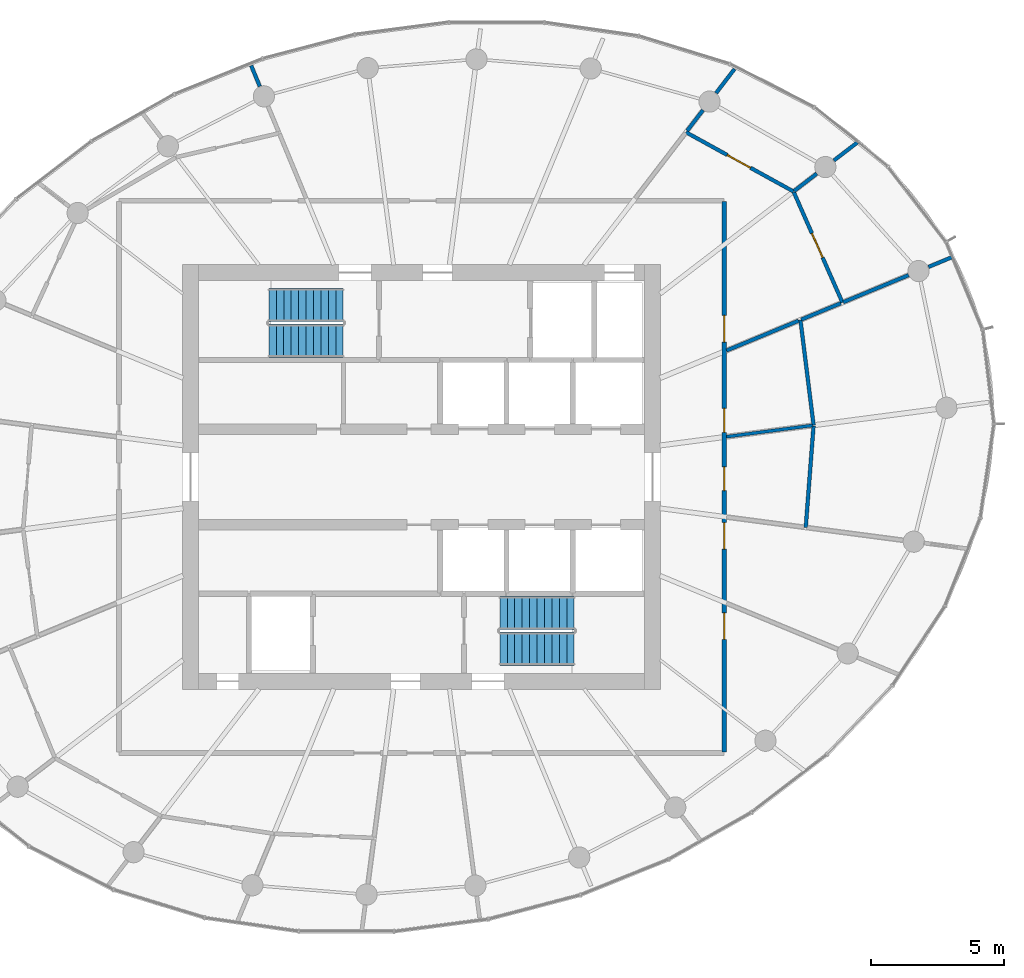
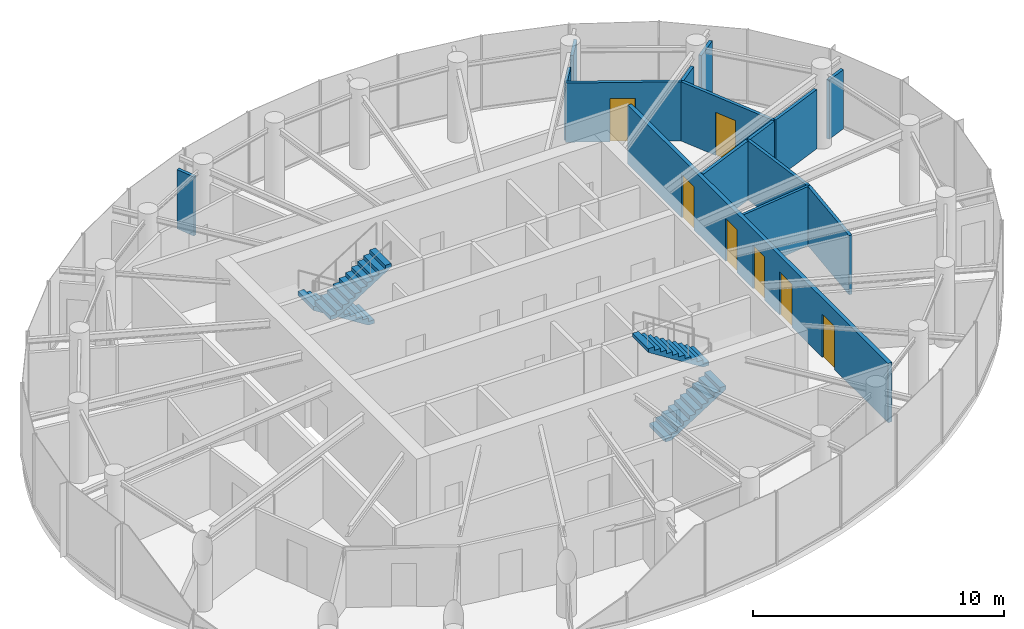
# One storey, part 11 of 13: 15 walls, 7 doors, 4 stair flights, 7 openings, 2 elements without a shape of their own.
"""IFC4 building model written with IfcOpenShell, lengths in metres."""

from ifc_helpers import new_model, si_unit, direction, frame, frame_2d, origin, place, context, subcontext, project, spatial, line, indexed_curve, rectangle, outline, extrude, source, transform, mapped, material, layer, layer_set, type_object, element, fill, aggregate, save


model = new_model("IFC4")

# Units and contexts
model_context = context("Model", 3, precision=1e-05, world=origin(), true_north=direction((0.0, 1.0)))
body_context = subcontext(model_context, "Body", "Model", "MODEL_VIEW")
ifc_project = project(units=[si_unit("LENGTHUNIT", "METRE"), si_unit("AREAUNIT", "SQUARE_METRE"), si_unit("VOLUMEUNIT", "CUBIC_METRE"), si_unit("PLANEANGLEUNIT", "RADIAN"), si_unit("MASSUNIT", "GRAM", prefix="KILO")], contexts=[model_context])

# Site, building, storey
site_placement = place(None, origin())
site = spatial("IfcSite", under=ifc_project, at=site_placement, CompositionType="ELEMENT")
building_placement = place(site_placement, origin())
building = spatial("IfcBuilding", under=site, at=building_placement, Name="Spindrift Exchange Tower", CompositionType="ELEMENT")
storey_placement = place(building_placement, frame((0.0, 0.0, 257.89990234375)))
storey = spatial("IfcBuildingStorey", under=building, at=storey_placement, Name="L63", CompositionType="ELEMENT", Elevation=257.89990234375)

# Wall, openings, doors
ifc_material_1 = material(Name="Fire-rated plasterboard partition", Category="gypsum")
ifc_layer_1 = layer(ifc_material_1, 0.179931640625)
ifc_layer_set_1 = layer_set([ifc_layer_1], Name="W-CORR-180")
wall_type_1 = type_object("IfcWallType", Name="W-CORR-180", PredefinedType="PARTITIONING", material=ifc_layer_set_1)
wall_1_placement = place(storey_placement, frame((63.39990234375, 58.3701171875, 0.0), z_axis=(0.0, 0.0, 1.0), x_axis=(0.0, -1.0, 0.0)))
wall_1 = element("IfcWall", 1, at=wall_1_placement, inside=storey, type_object=wall_type_1, Name="L63 Partition wall 29", PredefinedType="PARTITIONING", context=body_context, shape_type="SweptSolid", body=[
    extrude(rectangle(XDim=20.740234375, YDim=0.179931640625, at=frame_2d((10.3701171875, 0.0))), origin(), (0.0, 0.0, 1.0), 2.880126953125),
])
opening_1_placement = place(wall_1_placement, frame((9.989990234375, 0.0, 0.0)))
opening_1 = element("IfcOpeningElement", 2, at=opening_1_placement, cuts=wall_1, Name="Opening L63-D19", PredefinedType="OPENING", context=body_context, shape_type="SweptSolid", body=[
    extrude(rectangle(XDim=0.89990234375, YDim=2.10009765625, at=frame_2d((0.449951171875, 1.050048828125))), frame((0.0, 0.099853515625, 0.0), z_axis=(0.0, -1.0, 0.0), x_axis=(1.0, 0.0, 0.0)), (0.0, 0.0, 1.0), 0.199951171875),
])
opening_2_placement = place(wall_1_placement, frame((7.7900390625, 0.0, 0.0)))
opening_2 = element("IfcOpeningElement", 3, at=opening_2_placement, cuts=wall_1, Name="Opening L63-D20", PredefinedType="OPENING", context=body_context, shape_type="SweptSolid", body=[
    extrude(rectangle(XDim=0.89990234375, YDim=2.10009765625, at=frame_2d((0.449951171875, 1.050048828125))), frame((0.0, 0.099853515625, 0.0), z_axis=(0.0, -1.0, 0.0), x_axis=(1.0, 0.0, 0.0)), (0.0, 0.0, 1.0), 0.199951171875),
])
opening_3_placement = place(wall_1_placement, frame((4.2900390625, 0.0, 0.0)))
opening_3 = element("IfcOpeningElement", 4, at=opening_3_placement, cuts=wall_1, Name="Opening L63-D21", PredefinedType="OPENING", context=body_context, shape_type="SweptSolid", body=[
    extrude(rectangle(XDim=1.0, YDim=2.10009765625, at=frame_2d((0.5, 1.050048828125))), frame((0.0, 0.099853515625, 0.0), z_axis=(0.0, -1.0, 0.0), x_axis=(1.0, 0.0, 0.0)), (0.0, 0.0, 1.0), 0.199951171875),
])
opening_4_placement = place(wall_1_placement, frame((15.489990234375, 0.0, 0.0)))
opening_4 = element("IfcOpeningElement", 5, at=opening_4_placement, cuts=wall_1, Name="Opening L63-D41", PredefinedType="OPENING", context=body_context, shape_type="SweptSolid", body=[
    extrude(rectangle(XDim=1.0, YDim=2.10009765625, at=frame_2d((0.5, 1.050048828125))), frame((0.0, 0.099853515625, 0.0), z_axis=(0.0, -1.0, 0.0), x_axis=(1.0, 0.0, 0.0)), (0.0, 0.0, 1.0), 0.199951171875),
])
opening_5_placement = place(wall_1_placement, frame((12.090087890625, 0.0, 0.0)))
opening_5 = element("IfcOpeningElement", 6, at=opening_5_placement, cuts=wall_1, Name="Opening L63-D42", PredefinedType="OPENING", context=body_context, shape_type="SweptSolid", body=[
    extrude(rectangle(XDim=1.0, YDim=2.10009765625, at=frame_2d((0.5, 1.050048828125))), frame((0.0, 0.099853515625, 0.0), z_axis=(0.0, -1.0, 0.0), x_axis=(1.0, 0.0, 0.0)), (0.0, 0.0, 1.0), 0.199951171875),
])
ifc_material_2 = material(Name="Timber-core fire door", Category="wood")
door_type_1 = type_object("IfcDoorType", Name="DR-ROOM-1000", OperationType="NOTDEFINED", PredefinedType="DOOR", material=ifc_material_2)
shared_shape_1 = source(origin(), body_context, "Body", "SweptSolid", [
    extrude(rectangle(XDim=1.0, YDim=2.10009765625, at=frame_2d((0.5, 1.050048828125))), frame((0.0, 0.02490234375, 0.0), z_axis=(0.0, -1.0, 0.0), x_axis=(1.0, 0.0, 0.0)), (0.0, 0.0, 1.0), 0.050048828125),
])
door_1_placement = place(opening_3_placement, origin())
door_1 = element("IfcDoor", 7, at=door_1_placement, inside=storey, type_object=door_type_1, Name="L63 Door 21", OperationType="SINGLE_SWING_RIGHT", OverallHeight=2.10009765625, OverallWidth=1.0, PredefinedType="DOOR", context=body_context, shape_type="MappedRepresentation", body=[
    mapped(shared_shape_1, transform((0.0, 0.0, 0.0), scale=1.0)),
])
fill(opening_3, door_1)
door_2_placement = place(opening_4_placement, origin())
door_2 = element("IfcDoor", 8, at=door_2_placement, inside=storey, type_object=door_type_1, Name="L63 Door 41", OperationType="SINGLE_SWING_RIGHT", OverallHeight=2.10009765625, OverallWidth=1.0, PredefinedType="DOOR", context=body_context, shape_type="MappedRepresentation", body=[
    mapped(shared_shape_1, transform((0.0, 0.0, 0.0), scale=1.0)),
])
fill(opening_4, door_2)
door_3_placement = place(opening_5_placement, origin())
door_3 = element("IfcDoor", 9, at=door_3_placement, inside=storey, type_object=door_type_1, Name="L63 Door 42", OperationType="SINGLE_SWING_LEFT", OverallHeight=2.10009765625, OverallWidth=1.0, PredefinedType="DOOR", context=body_context, shape_type="MappedRepresentation", body=[
    mapped(shared_shape_1, transform((0.0, 0.0, 0.0), scale=1.0)),
])
fill(opening_5, door_3)
ifc_material_3 = material(Name="Laminate washroom door", Category="wood")
door_type_2 = type_object("IfcDoorType", Name="DR-WC-900", OperationType="NOTDEFINED", PredefinedType="DOOR", material=ifc_material_3)
shared_shape_2 = source(origin(), body_context, "Body", "SweptSolid", [
    extrude(rectangle(XDim=0.89990234375, YDim=2.10009765625, at=frame_2d((0.449951171875, 1.050048828125))), frame((0.0, 0.02490234375, 0.0), z_axis=(0.0, -1.0, 0.0), x_axis=(1.0, 0.0, 0.0)), (0.0, 0.0, 1.0), 0.050048828125),
])
door_4_placement = place(opening_1_placement, origin())
door_4 = element("IfcDoor", 10, at=door_4_placement, inside=storey, type_object=door_type_2, Name="L63 WC door 19", OperationType="SINGLE_SWING_RIGHT", OverallHeight=2.10009765625, OverallWidth=0.89990234375, PredefinedType="DOOR", context=body_context, shape_type="MappedRepresentation", body=[
    mapped(shared_shape_2, transform((0.0, 0.0, 0.0), scale=1.0)),
])
fill(opening_1, door_4)
door_5_placement = place(opening_2_placement, origin())
door_5 = element("IfcDoor", 11, at=door_5_placement, inside=storey, type_object=door_type_2, Name="L63 WC door 20", OperationType="SINGLE_SWING_LEFT", OverallHeight=2.10009765625, OverallWidth=0.89990234375, PredefinedType="DOOR", context=body_context, shape_type="MappedRepresentation", body=[
    mapped(shared_shape_2, transform((0.0, 0.0, 0.0), scale=1.0)),
])
fill(opening_2, door_5)

# Wall, opening, door
ifc_layer_2 = layer(ifc_material_1, 0.139892578125)
ifc_layer_set_2 = layer_set([ifc_layer_2], Name="W-PART-140")
wall_type_2 = type_object("IfcWallType", Name="W-PART-140", PredefinedType="PARTITIONING", material=ifc_layer_set_2)
wall_2_placement = place(storey_placement, frame((61.960693359375, 60.98095703125, 0.0), z_axis=(0.0, 0.0, 1.0), x_axis=(0.875806364123, -0.482662628096, 0.0)))
wall_2 = element("IfcWall", 12, at=wall_2_placement, inside=storey, type_object=wall_type_2, Name="L63 Partition wall 33", PredefinedType="PARTITIONING", context=body_context, shape_type="SweptSolid", body=[
    extrude(rectangle(XDim=4.622802734375, YDim=0.139892578125, at=frame_2d((2.3115234375, 0.0))), origin(), (0.0, 0.0, 1.0), 2.880126953125),
])
opening_6_placement = place(wall_2_placement, frame((1.772705078125, 0.0, 0.0)))
opening_6 = element("IfcOpeningElement", 13, at=opening_6_placement, cuts=wall_2, Name="Opening L63-D23", PredefinedType="OPENING", context=body_context, shape_type="SweptSolid", body=[
    extrude(rectangle(XDim=1.0, YDim=2.10009765625, at=frame_2d((0.5, 1.050048828125))), frame((0.0, 0.079833984375, 0.0), z_axis=(0.0, -1.0, 0.0), x_axis=(1.0, 0.0, 0.0)), (0.0, 0.0, 1.0), 0.159912109375),
])
door_6_placement = place(opening_6_placement, origin())
door_6 = element("IfcDoor", 14, at=door_6_placement, inside=storey, type_object=door_type_1, Name="L63 Door 23", OperationType="SINGLE_SWING_RIGHT", OverallHeight=2.10009765625, OverallWidth=1.0, PredefinedType="DOOR", context=body_context, shape_type="MappedRepresentation", body=[
    mapped(shared_shape_1, transform((0.0, 0.0, 0.0), scale=1.0)),
])
fill(opening_6, door_6)

wall_3_placement = place(storey_placement, frame((66.021240234375, 58.72216796875, 0.0), z_axis=(0.0, 0.0, 1.0), x_axis=(0.403558147764, -0.914953999594, 0.0)))
wall_3 = element("IfcWall", 15, at=wall_3_placement, inside=storey, type_object=wall_type_2, Name="L63 Partition wall 34", PredefinedType="PARTITIONING", context=body_context, shape_type="SweptSolid", body=[
    extrude(rectangle(XDim=4.54150390625, YDim=0.139892578125, at=frame_2d((2.270751953125, 0.0))), origin(), (0.0, 0.0, 1.0), 2.880126953125),
])
opening_7_placement = place(wall_3_placement, frame((1.69140625, 0.0, 0.0)))
opening_7 = element("IfcOpeningElement", 16, at=opening_7_placement, cuts=wall_3, Name="Opening L63-D22", PredefinedType="OPENING", context=body_context, shape_type="SweptSolid", body=[
    extrude(rectangle(XDim=1.0, YDim=2.10009765625, at=frame_2d((0.5, 1.050048828125))), frame((0.0, 0.079833984375, 0.0), z_axis=(0.0, -1.0, 0.0), x_axis=(1.0, 0.0, 0.0)), (0.0, 0.0, 1.0), 0.159912109375),
])
door_7_placement = place(opening_7_placement, origin())
door_7 = element("IfcDoor", 17, at=door_7_placement, inside=storey, type_object=door_type_1, Name="L63 Door 22", OperationType="SINGLE_SWING_LEFT", OverallHeight=2.10009765625, OverallWidth=1.0, PredefinedType="DOOR", context=body_context, shape_type="MappedRepresentation", body=[
    mapped(shared_shape_1, transform((0.0, 0.0, 0.0), scale=1.0)),
])
fill(opening_7, door_7)

# Walls
wall_4_placement = place(storey_placement, frame((66.766357421875, 49.944091796875, 0.0), z_axis=(0.0, 0.0, 1.0), x_axis=(-0.124094865126, 0.992270358546, 0.0)))
element("IfcWall", 18, at=wall_4_placement, inside=storey, type_object=wall_type_2, Name="L63 Partition wall 40", PredefinedType="PARTITIONING", context=body_context, shape_type="SweptSolid", body=[
    extrude(rectangle(XDim=3.997802734375, YDim=0.139892578125, at=frame_2d((1.9990234375, 0.0))), origin(), (0.0, 0.0, 1.0), 2.880126953125),
])
wall_5_placement = place(storey_placement, frame((66.471435546875, 46.0947265625, 0.0), z_axis=(0.0, 0.0, 1.0), x_axis=(0.076355321154, 0.997080671226, 0.0)))
element("IfcWall", 19, at=wall_5_placement, inside=storey, type_object=wall_type_2, Name="L63 Partition wall 44", PredefinedType="PARTITIONING", context=body_context, shape_type="SweptSolid", body=[
    extrude(rectangle(XDim=3.83056640625, YDim=0.139892578125, at=frame_2d((1.915283203125, 0.0))), origin(), (0.0, 0.0, 1.0), 2.880126953125),
])
wall_6_placement = place(storey_placement, frame((63.489990234375, 52.75927734375, 0.0), z_axis=(0.0, 0.0, 1.0), x_axis=(0.923884097698, 0.382672410844, 0.0)))
element("IfcWall", 20, at=wall_6_placement, inside=storey, type_object=wall_type_2, Name="L63 Partition wall 54", PredefinedType="PARTITIONING", context=body_context, shape_type="SweptSolid", body=[
    extrude(rectangle(XDim=2.936767578125, YDim=0.139892578125, at=frame_2d((1.46826171875, 0.0))), origin(), (0.0, 0.0, 1.0), 2.880126953125),
])
wall_7_placement = place(storey_placement, frame((67.8818359375, 54.57861328125, 0.0), z_axis=(0.0, 0.0, 1.0), x_axis=(0.923906367218, 0.382618641225, 0.0)))
element("IfcWall", 21, at=wall_7_placement, inside=storey, type_object=wall_type_2, Name="L63 Partition wall 58", PredefinedType="PARTITIONING", context=body_context, shape_type="SweptSolid", body=[
    extrude(rectangle(XDim=2.66650390625, YDim=0.139892578125, at=frame_2d((1.333251953125, 0.0))), origin(), (0.0, 0.0, 1.0), 2.880126953125),
])
wall_8_placement = place(storey_placement, frame((66.2978515625, 53.92236328125, 0.0), z_axis=(0.0, 0.0, 1.0), x_axis=(0.923849088281, 0.382756922972, 0.0)))
element("IfcWall", 22, at=wall_8_placement, inside=storey, type_object=wall_type_2, Name="L63 Partition wall 62", PredefinedType="PARTITIONING", context=body_context, shape_type="SweptSolid", body=[
    extrude(rectangle(XDim=1.614501953125, YDim=0.139892578125, at=frame_2d((0.80712890625, 0.0))), origin(), (0.0, 0.0, 1.0), 2.880126953125),
])
wall_9_placement = place(storey_placement, frame((63.09326171875, 62.456787109375, 0.0), z_axis=(0.0, 0.0, 1.0), x_axis=(0.60864680101, 0.793441284293, 0.0)))
element("IfcWall", 23, at=wall_9_placement, inside=storey, type_object=wall_type_2, Name="L63 Partition wall 75", PredefinedType="PARTITIONING", context=body_context, shape_type="SweptSolid", body=[
    extrude(rectangle(XDim=1.142822265625, YDim=0.139892578125, at=frame_2d((0.5712890625, 0.0))), origin(), (0.0, 0.0, 1.0), 2.880126953125),
])
wall_10_placement = place(storey_placement, frame((67.530517578125, 59.9169921875, 0.0), z_axis=(0.0, 0.0, 1.0), x_axis=(0.793297066138, 0.608834759895, 0.0)))
element("IfcWall", 24, at=wall_10_placement, inside=storey, type_object=wall_type_2, Name="L63 Partition wall 78", PredefinedType="PARTITIONING", context=body_context, shape_type="SweptSolid", body=[
    extrude(rectangle(XDim=1.118408203125, YDim=0.139892578125, at=frame_2d((0.55908203125, 0.0))), origin(), (0.0, 0.0, 1.0), 2.880126953125),
])
wall_11_placement = place(storey_placement, frame((66.032958984375, 58.767822265625, 0.0), z_axis=(0.0, 0.0, 1.0), x_axis=(0.793322040953, 0.60880221693, 0.0)))
element("IfcWall", 25, at=wall_11_placement, inside=storey, type_object=wall_type_2, Name="L63 Partition wall 79", PredefinedType="PARTITIONING", context=body_context, shape_type="SweptSolid", body=[
    extrude(rectangle(XDim=1.078369140625, YDim=0.139892578125, at=frame_2d((0.5390625, 0.0))), origin(), (0.0, 0.0, 1.0), 2.880126953125),
])
wall_12_placement = place(storey_placement, frame((62.00390625, 61.037109375, 0.0), z_axis=(0.0, 0.0, 1.0), x_axis=(0.608651106813, 0.793437981304, 0.0)))
element("IfcWall", 26, at=wall_12_placement, inside=storey, type_object=wall_type_2, Name="L63 Partition wall 83", PredefinedType="PARTITIONING", context=body_context, shape_type="SweptSolid", body=[
    extrude(rectangle(XDim=0.980224609375, YDim=0.139892578125, at=frame_2d((0.490234375, 0.0))), origin(), (0.0, 0.0, 1.0), 2.880126953125),
])
wall_13_placement = place(storey_placement, frame((71.09375, 55.908935546875, 0.0), z_axis=(0.0, 0.0, 1.0), x_axis=(0.923893859205, 0.382648842835, 0.0)))
element("IfcWall", 27, at=wall_13_placement, inside=storey, type_object=wall_type_2, Name="L63 Partition wall 86", PredefinedType="PARTITIONING", context=body_context, shape_type="SweptSolid", body=[
    extrude(rectangle(XDim=0.943603515625, YDim=0.139892578125, at=frame_2d((0.4716796875, 0.0))), origin(), (0.0, 0.0, 1.0), 2.880126953125),
])
wall_14_placement = place(storey_placement, frame((45.90771484375, 62.708251953125, 0.0), z_axis=(0.0, 0.0, 1.0), x_axis=(-0.382877217127, 0.923799240422, 0.0)))
element("IfcWall", 28, at=wall_14_placement, inside=storey, type_object=wall_type_2, Name="L63 Partition wall 87", PredefinedType="PARTITIONING", context=body_context, shape_type="SweptSolid", body=[
    extrude(rectangle(XDim=0.84814453125, YDim=0.139892578125, at=frame_2d((0.424072265625, 0.0))), origin(), (0.0, 0.0, 1.0), 2.880126953125),
])
ifc_layer_3 = layer(ifc_material_1, 0.1201171875)
ifc_layer_set_3 = layer_set([ifc_layer_3], Name="W-WET-120")
wall_type_3 = type_object("IfcWallType", Name="W-WET-120", PredefinedType="PARTITIONING", material=ifc_layer_set_3)
wall_15_placement = place(storey_placement, frame((63.489990234375, 49.5126953125, 0.0), z_axis=(0.0, 0.0, 1.0), x_axis=(0.99144211057, 0.130547084946, 0.0)))
element("IfcWall", 29, at=wall_15_placement, inside=storey, type_object=wall_type_3, Name="L63 Partition wall 89", PredefinedType="PARTITIONING", context=body_context, shape_type="SweptSolid", body=[
    extrude(rectangle(XDim=3.274658203125, YDim=0.1201171875, at=frame_2d((1.63720703125, 0.0))), origin(), (0.0, 0.0, 1.0), 2.880126953125),
])

# Stair, stair flights
ifc_material_4 = material(Name="Concrete 50 MPa", Category="concrete")
stair_type = type_object("IfcStairType", Name="ST-1250-R177", PredefinedType="HALF_TURN_STAIR", material=ifc_material_4)
stair_1_placement = place(storey_placement, origin())
stair_1 = element("IfcStair", 30, at=stair_1_placement, inside=storey, type_object=stair_type, Name="L63 Exit stair ST1", PredefinedType="HALF_TURN_STAIR")
stair_flight_type = type_object("IfcStairFlightType", Name="STF-1250-R177", PredefinedType="STRAIGHT", material=ifc_material_4)
stair_flight_1_placement = place(storey_placement, frame((49.050048828125, 54.47509765625, 0.0), z_axis=(0.0, 0.0, 1.0), x_axis=(-1.0, 0.0, 0.0)))
stair_flight_1 = element("IfcStairFlight", 31, at=stair_flight_1_placement, type_object=stair_flight_type, Name="ST1 flight 1", NumberOfRisers=11, NumberOfTreads=10, PredefinedType="STRAIGHT", RiserHeight=0.177272727, TreadLength=0.28, context=body_context, shape_type="SweptSolid", body=[
    extrude(outline(indexed_curve([(0.0, 0.0), (0.0, 0.177734375), (0.2802734375, 0.177734375), (0.2802734375, 0.3544921875), (0.5595703125, 0.3544921875), (0.5595703125, 0.5322265625), (0.83984375, 0.5322265625), (0.83984375, 0.708984375), (1.1201171875, 0.708984375), (1.1201171875, 0.88671875), (1.400390625, 0.88671875), (1.400390625, 1.0634765625), (1.6796875, 1.0634765625), (1.6796875, 1.2412109375), (1.9599609375, 1.2412109375), (1.9599609375, 1.41796875), (2.240234375, 1.41796875), (2.240234375, 1.595703125), (2.51953125, 1.595703125), (2.51953125, 1.7724609375), (2.7998046875, 1.7724609375), (2.7998046875, 1.9501953125), (2.7998046875, 1.595703125), (0.2802734375, 0.0)], segments=[line(1, 2, 3, 4, 5, 6, 7, 8, 9, 10, 11, 12, 13, 14, 15, 16, 17, 18, 19, 20, 21, 22, 23, 24, 1)], self_intersect=False)), frame((0.0, 0.625, 0.0), z_axis=(0.0, -1.0, 0.0), x_axis=(1.0, 0.0, 0.0)), (0.0, 0.0, 1.0), 1.25),
])
stair_flight_2_placement = place(storey_placement, frame((46.25, 53.125, 1.9501953125), z_axis=(0.0, 0.0, 1.0), x_axis=(1.0, 0.0, 0.0)))
stair_flight_2 = element("IfcStairFlight", 32, at=stair_flight_2_placement, type_object=stair_flight_type, Name="ST1 flight 2", NumberOfRisers=11, NumberOfTreads=10, PredefinedType="STRAIGHT", RiserHeight=0.177272727, TreadLength=0.28, context=body_context, shape_type="SweptSolid", body=[
    extrude(outline(indexed_curve([(0.0, 0.0), (0.0, 0.177734375), (0.2802734375, 0.177734375), (0.2802734375, 0.3544921875), (0.5595703125, 0.3544921875), (0.5595703125, 0.5322265625), (0.83984375, 0.5322265625), (0.83984375, 0.708984375), (1.1201171875, 0.708984375), (1.1201171875, 0.88671875), (1.400390625, 0.88671875), (1.400390625, 1.0634765625), (1.6796875, 1.0634765625), (1.6796875, 1.2412109375), (1.9599609375, 1.2412109375), (1.9599609375, 1.41796875), (2.240234375, 1.41796875), (2.240234375, 1.595703125), (2.51953125, 1.595703125), (2.51953125, 1.7724609375), (2.7998046875, 1.7724609375), (2.7998046875, 1.9501953125), (2.7998046875, 1.595703125), (0.2802734375, 0.0)], segments=[line(1, 2, 3, 4, 5, 6, 7, 8, 9, 10, 11, 12, 13, 14, 15, 16, 17, 18, 19, 20, 21, 22, 23, 24, 1)], self_intersect=False)), frame((0.0, 0.625, 0.0), z_axis=(0.0, -1.0, 0.0), x_axis=(1.0, 0.0, 0.0)), (0.0, 0.0, 1.0), 1.25),
])
aggregate(stair_1, [stair_flight_1, stair_flight_2])

stair_2_placement = place(storey_placement, origin())
stair_2 = element("IfcStair", 33, at=stair_2_placement, inside=storey, type_object=stair_type, Name="L63 Exit stair ST2", PredefinedType="HALF_TURN_STAIR")
stair_flight_3_placement = place(storey_placement, frame((54.949951171875, 41.52490234375, 0.0), z_axis=(0.0, 0.0, 1.0), x_axis=(1.0, 0.0, 0.0)))
stair_flight_3 = element("IfcStairFlight", 34, at=stair_flight_3_placement, type_object=stair_flight_type, Name="ST2 flight 1", NumberOfRisers=11, NumberOfTreads=10, PredefinedType="STRAIGHT", RiserHeight=0.177272727, TreadLength=0.28, context=body_context, shape_type="SweptSolid", body=[
    extrude(outline(indexed_curve([(0.0, 0.0), (0.0, 0.177734375), (0.2802734375, 0.177734375), (0.2802734375, 0.3544921875), (0.5595703125, 0.3544921875), (0.5595703125, 0.5322265625), (0.83984375, 0.5322265625), (0.83984375, 0.708984375), (1.1201171875, 0.708984375), (1.1201171875, 0.88671875), (1.400390625, 0.88671875), (1.400390625, 1.0634765625), (1.6796875, 1.0634765625), (1.6796875, 1.2412109375), (1.9599609375, 1.2412109375), (1.9599609375, 1.41796875), (2.240234375, 1.41796875), (2.240234375, 1.595703125), (2.51953125, 1.595703125), (2.51953125, 1.7724609375), (2.7998046875, 1.7724609375), (2.7998046875, 1.9501953125), (2.7998046875, 1.595703125), (0.2802734375, 0.0)], segments=[line(1, 2, 3, 4, 5, 6, 7, 8, 9, 10, 11, 12, 13, 14, 15, 16, 17, 18, 19, 20, 21, 22, 23, 24, 1)], self_intersect=False)), frame((0.0, 0.625, 0.0), z_axis=(0.0, -1.0, 0.0), x_axis=(1.0, 0.0, 0.0)), (0.0, 0.0, 1.0), 1.25),
])
stair_flight_4_placement = place(storey_placement, frame((57.75, 42.875, 1.9501953125), z_axis=(0.0, 0.0, 1.0), x_axis=(-1.0, 0.0, 0.0)))
stair_flight_4 = element("IfcStairFlight", 35, at=stair_flight_4_placement, type_object=stair_flight_type, Name="ST2 flight 2", NumberOfRisers=11, NumberOfTreads=10, PredefinedType="STRAIGHT", RiserHeight=0.177272727, TreadLength=0.28, context=body_context, shape_type="SweptSolid", body=[
    extrude(outline(indexed_curve([(0.0, 0.0), (0.0, 0.177734375), (0.2802734375, 0.177734375), (0.2802734375, 0.3544921875), (0.5595703125, 0.3544921875), (0.5595703125, 0.5322265625), (0.83984375, 0.5322265625), (0.83984375, 0.708984375), (1.1201171875, 0.708984375), (1.1201171875, 0.88671875), (1.400390625, 0.88671875), (1.400390625, 1.0634765625), (1.6796875, 1.0634765625), (1.6796875, 1.2412109375), (1.9599609375, 1.2412109375), (1.9599609375, 1.41796875), (2.240234375, 1.41796875), (2.240234375, 1.595703125), (2.51953125, 1.595703125), (2.51953125, 1.7724609375), (2.7998046875, 1.7724609375), (2.7998046875, 1.9501953125), (2.7998046875, 1.595703125), (0.2802734375, 0.0)], segments=[line(1, 2, 3, 4, 5, 6, 7, 8, 9, 10, 11, 12, 13, 14, 15, 16, 17, 18, 19, 20, 21, 22, 23, 24, 1)], self_intersect=False)), frame((0.0, 0.625, 0.0), z_axis=(0.0, -1.0, 0.0), x_axis=(1.0, 0.0, 0.0)), (0.0, 0.0, 1.0), 1.25),
])
aggregate(stair_2, [stair_flight_3, stair_flight_4])

save(model, "model.ifc")
